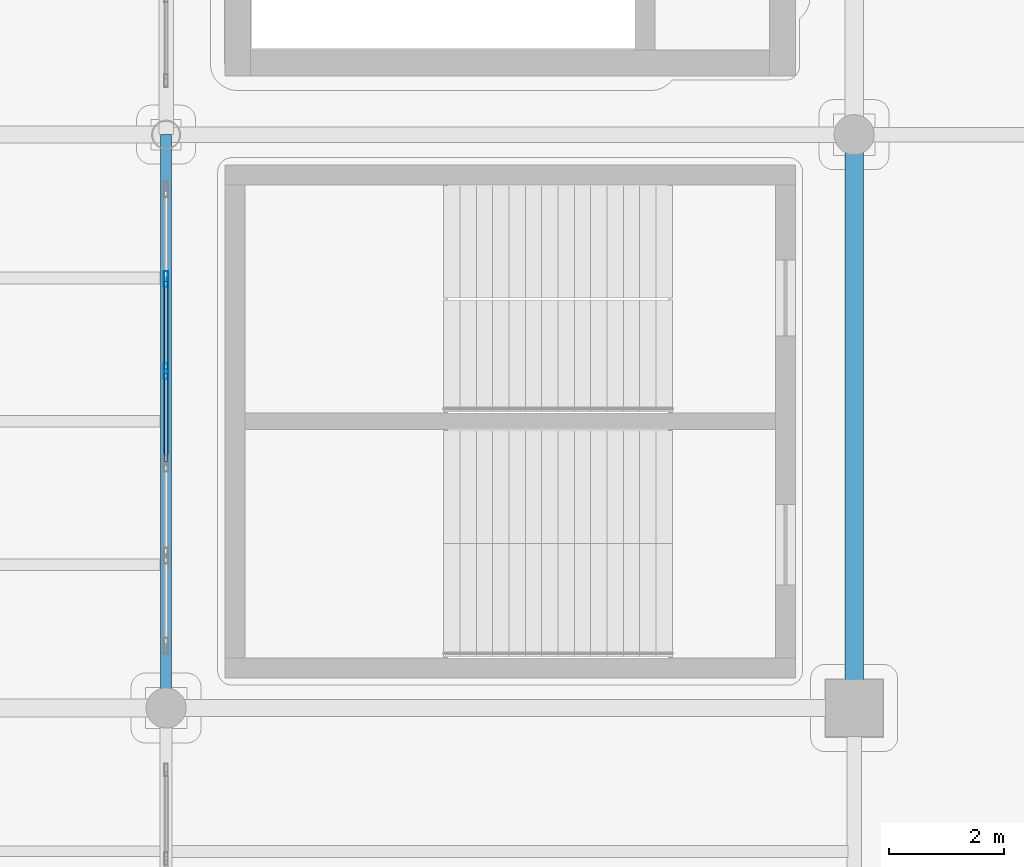
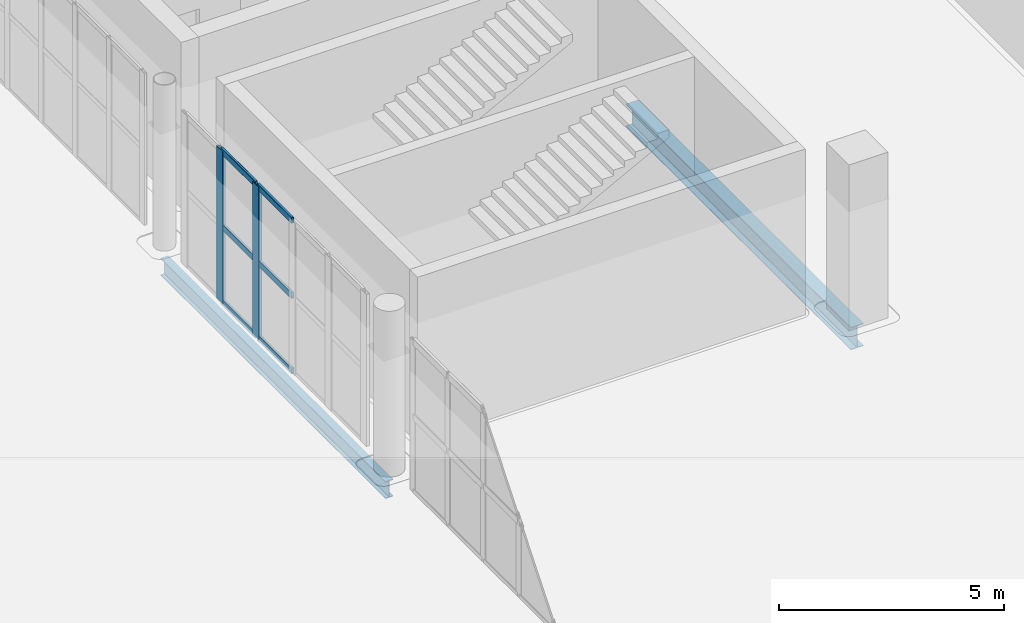
# One storey, part 38 of 108: 8 members, 2 beams, 1 element without a shape of its own.
"""IFC4 building model written with IfcOpenShell, lengths in metres."""

from ifc_helpers import new_model, si_unit, direction, frame, origin, origin_2d, place, context, subcontext, project, spatial, hollow_rectangle, i_section, extrude, material, layer, layer_set, material_profile, profile_set, type_object, element, aggregate, save


model = new_model("IFC4")

# Units and contexts
model_context = context("Model", 3, precision=1e-05, world=origin(), true_north=direction((0.0, 1.0)))
body_context = subcontext(model_context, "Body", "Model", "MODEL_VIEW")
ifc_project = project(units=[si_unit("LENGTHUNIT", "METRE"), si_unit("AREAUNIT", "SQUARE_METRE"), si_unit("VOLUMEUNIT", "CUBIC_METRE"), si_unit("PLANEANGLEUNIT", "RADIAN"), si_unit("MASSUNIT", "GRAM", prefix="KILO")], contexts=[model_context])

# Site, building, storey
site_placement = place(None, origin())
site = spatial("IfcSite", under=ifc_project, at=site_placement, CompositionType="ELEMENT")
building_placement = place(site_placement, origin())
building = spatial("IfcBuilding", under=site, at=building_placement, Name="Brinegate Civic Arena", CompositionType="ELEMENT")
storey_placement = place(building_placement, frame((0.0, 0.0, 10.199951171875)))
storey = spatial("IfcBuildingStorey", under=building, at=storey_placement, Name="L02", CompositionType="ELEMENT", Elevation=10.199951171875)

# Curtain wall, members
ifc_material_1 = material(Name="Marine grade aluminium", Category="aluminium")
ifc_layer = layer(ifc_material_1, 0.199951171875, Name="Marine grade aluminium")
ifc_layer_set = layer_set([ifc_layer], Name="Marine grade aluminium")
curtain_wall_type = type_object("IfcCurtainWallType", Name="CW-BOWL-GLAZED-01", PredefinedType="USERDEFINED", material=ifc_layer_set)
curtain_wall_placement = place(storey_placement, origin())
curtain_wall = element("IfcCurtainWall", 1, at=curtain_wall_placement, inside=storey, type_object=curtain_wall_type, Name="Curtain Wall CWA-087", ObjectType="GLAZED CURTAIN WALL", PredefinedType="USERDEFINED")
ifc_material_profile_1 = material_profile(ifc_material_1, hollow_rectangle(XDim=0.080078125, YDim=0.280029296875, WallThickness=0.007080078125, InnerFilletRadius=0.0048828125, OuterFilletRadius=0.010009765625, at=origin_2d()), Name="MUL80X280")
ifc_profile_set_1 = profile_set([ifc_material_profile_1], Name="Marine grade aluminium")
member_type_1 = type_object("IfcMemberType", Name="CW-MULLION-80X280", PredefinedType="MULLION", material=ifc_profile_set_1)
member_1_placement = place(storey_placement, frame((48.0, 77.87255859375, 0.0), z_axis=(0.0, 0.0, 1.0), x_axis=(-1.0, 0.0, 0.0)))
member_1 = element("IfcMember", 2, at=member_1_placement, type_object=member_type_1, Name="CWA-087 mullion 4", PredefinedType="MULLION", context=body_context, shape_type="SweptSolid", body=[
    extrude(hollow_rectangle(XDim=0.080078125, YDim=0.280029296875, WallThickness=0.007080078125, InnerFilletRadius=0.0048828125, OuterFilletRadius=0.010009765625, at=origin_2d()), origin(), (0.0, 0.0, 1.0), 4.150146484375),
])
member_2_placement = place(storey_placement, frame((48.0, 79.481689453125, 0.0), z_axis=(0.0, 0.0, 1.0), x_axis=(-1.0, 0.0, 0.0)))
member_2 = element("IfcMember", 3, at=member_2_placement, type_object=member_type_1, Name="CWA-087 mullion 5", PredefinedType="MULLION", context=body_context, shape_type="SweptSolid", body=[
    extrude(hollow_rectangle(XDim=0.080078125, YDim=0.280029296875, WallThickness=0.007080078125, InnerFilletRadius=0.0048828125, OuterFilletRadius=0.010009765625, at=origin_2d()), origin(), (0.0, 0.0, 1.0), 4.150146484375),
])
ifc_material_profile_2 = material_profile(ifc_material_1, hollow_rectangle(XDim=0.06494140625, YDim=0.1650390625, WallThickness=0.0048828125, InnerFilletRadius=0.00390625, OuterFilletRadius=0.008056640625, at=origin_2d()), Name="TRN65X165")
ifc_profile_set_2 = profile_set([ifc_material_profile_2], Name="Marine grade aluminium")
member_type_2 = type_object("IfcMemberType", Name="CW-TRANSOM-65X165", PredefinedType="USERDEFINED", material=ifc_profile_set_2)
member_3_placement = place(storey_placement, frame((48.0, 76.303466796875, 0.032470703125), z_axis=(0.0, 1.0, 0.0), x_axis=(-1.0, 0.0, 0.0)))
member_3 = element("IfcMember", 4, at=member_3_placement, type_object=member_type_2, Name="CWA-087 transom 3.1", ObjectType="TRANSOM", PredefinedType="USERDEFINED", context=body_context, shape_type="SweptSolid", body=[
    extrude(hollow_rectangle(XDim=0.06494140625, YDim=0.1650390625, WallThickness=0.0048828125, InnerFilletRadius=0.00390625, OuterFilletRadius=0.008056640625, at=origin_2d()), origin(), (0.0, 0.0, 1.0), 1.529052734375),
])
member_4_placement = place(storey_placement, frame((48.0, 76.303466796875, 2.074951171875), z_axis=(0.0, 1.0, 0.0), x_axis=(-1.0, 0.0, 0.0)))
member_4 = element("IfcMember", 5, at=member_4_placement, type_object=member_type_2, Name="CWA-087 transom 3.2", ObjectType="TRANSOM", PredefinedType="USERDEFINED", context=body_context, shape_type="SweptSolid", body=[
    extrude(hollow_rectangle(XDim=0.06494140625, YDim=0.1650390625, WallThickness=0.0048828125, InnerFilletRadius=0.00390625, OuterFilletRadius=0.008056640625, at=origin_2d()), origin(), (0.0, 0.0, 1.0), 1.529052734375),
])
member_5_placement = place(storey_placement, frame((48.0, 76.303466796875, 4.117431640625), z_axis=(0.0, 1.0, 0.0), x_axis=(-1.0, 0.0, 0.0)))
member_5 = element("IfcMember", 6, at=member_5_placement, type_object=member_type_2, Name="CWA-087 transom 3.3", ObjectType="TRANSOM", PredefinedType="USERDEFINED", context=body_context, shape_type="SweptSolid", body=[
    extrude(hollow_rectangle(XDim=0.06494140625, YDim=0.1650390625, WallThickness=0.0048828125, InnerFilletRadius=0.00390625, OuterFilletRadius=0.008056640625, at=origin_2d()), origin(), (0.0, 0.0, 1.0), 1.529052734375),
])
member_6_placement = place(storey_placement, frame((48.0, 77.91259765625, 0.032470703125), z_axis=(0.0, 1.0, 0.0), x_axis=(-1.0, 0.0, 0.0)))
member_6 = element("IfcMember", 7, at=member_6_placement, type_object=member_type_2, Name="CWA-087 transom 4.1", ObjectType="TRANSOM", PredefinedType="USERDEFINED", context=body_context, shape_type="SweptSolid", body=[
    extrude(hollow_rectangle(XDim=0.06494140625, YDim=0.1650390625, WallThickness=0.0048828125, InnerFilletRadius=0.00390625, OuterFilletRadius=0.008056640625, at=origin_2d()), origin(), (0.0, 0.0, 1.0), 1.529296875),
])
member_7_placement = place(storey_placement, frame((48.0, 77.91259765625, 2.074951171875), z_axis=(0.0, 1.0, 0.0), x_axis=(-1.0, 0.0, 0.0)))
member_7 = element("IfcMember", 8, at=member_7_placement, type_object=member_type_2, Name="CWA-087 transom 4.2", ObjectType="TRANSOM", PredefinedType="USERDEFINED", context=body_context, shape_type="SweptSolid", body=[
    extrude(hollow_rectangle(XDim=0.06494140625, YDim=0.1650390625, WallThickness=0.0048828125, InnerFilletRadius=0.00390625, OuterFilletRadius=0.008056640625, at=origin_2d()), origin(), (0.0, 0.0, 1.0), 1.529296875),
])
member_8_placement = place(storey_placement, frame((48.0, 77.91259765625, 4.117431640625), z_axis=(0.0, 1.0, 0.0), x_axis=(-1.0, 0.0, 0.0)))
member_8 = element("IfcMember", 9, at=member_8_placement, type_object=member_type_2, Name="CWA-087 transom 4.3", ObjectType="TRANSOM", PredefinedType="USERDEFINED", context=body_context, shape_type="SweptSolid", body=[
    extrude(hollow_rectangle(XDim=0.06494140625, YDim=0.1650390625, WallThickness=0.0048828125, InnerFilletRadius=0.00390625, OuterFilletRadius=0.008056640625, at=origin_2d()), origin(), (0.0, 0.0, 1.0), 1.529296875),
])
aggregate(curtain_wall, [member_1, member_2, member_3, member_4, member_5, member_6, member_7, member_8])

# Beams
ifc_material_2 = material(Name="Steel S355", Category="steel")
ifc_material_profile_3 = material_profile(ifc_material_2, i_section(OverallWidth=0.323974609375, OverallDepth=0.611083984375, WebThickness=0.012939453125, FlangeThickness=0.01904296875, FilletRadius=0.01611328125, at=origin_2d()), Name="W610X155")
ifc_profile_set_3 = profile_set([ifc_material_profile_3], Name="Steel S355")
beam_type_1 = type_object("IfcBeamType", Name="GIRDER-W610X155", PredefinedType="BEAM", material=ifc_profile_set_3)
beam_1_placement = place(storey_placement, frame((60.0, 72.0, -0.635009765625), z_axis=(0.0, 1.0, 0.0), x_axis=(-1.0, 0.0, 0.0)))
element("IfcBeam", 10, at=beam_1_placement, inside=storey, type_object=beam_type_1, Name="Floor Girder BM-L02-GY-05-07", PredefinedType="BEAM", context=body_context, shape_type="SweptSolid", body=[
    extrude(i_section(OverallWidth=0.323974609375, OverallDepth=0.611083984375, WebThickness=0.012939453125, FlangeThickness=0.01904296875, FilletRadius=0.01611328125, at=origin_2d()), origin(), (0.0, 0.0, 1.0), 10.0),
])
ifc_material_profile_4 = material_profile(ifc_material_2, i_section(OverallWidth=0.193115234375, OverallDepth=0.466064453125, WebThickness=0.010986328125, FlangeThickness=0.01904296875, FilletRadius=0.014892578125, at=origin_2d()), Name="W460X97")
ifc_profile_set_4 = profile_set([ifc_material_profile_4], Name="Steel S355")
beam_type_2 = type_object("IfcBeamType", Name="SPANDREL-W460X97", PredefinedType="SPANDREL", material=ifc_profile_set_4)
beam_2_placement = place(storey_placement, frame((48.0, 72.0, -0.56298828125), z_axis=(0.0, 1.0, 0.0), x_axis=(-1.0, 0.0, 0.0)))
element("IfcBeam", 11, at=beam_2_placement, inside=storey, type_object=beam_type_2, Name="Floor Girder BM-L02-GY-04-07", PredefinedType="SPANDREL", context=body_context, shape_type="SweptSolid", body=[
    extrude(i_section(OverallWidth=0.193115234375, OverallDepth=0.466064453125, WebThickness=0.010986328125, FlangeThickness=0.01904296875, FilletRadius=0.014892578125, at=origin_2d()), origin(), (0.0, 0.0, 1.0), 10.0),
])

save(model, "model.ifc")
